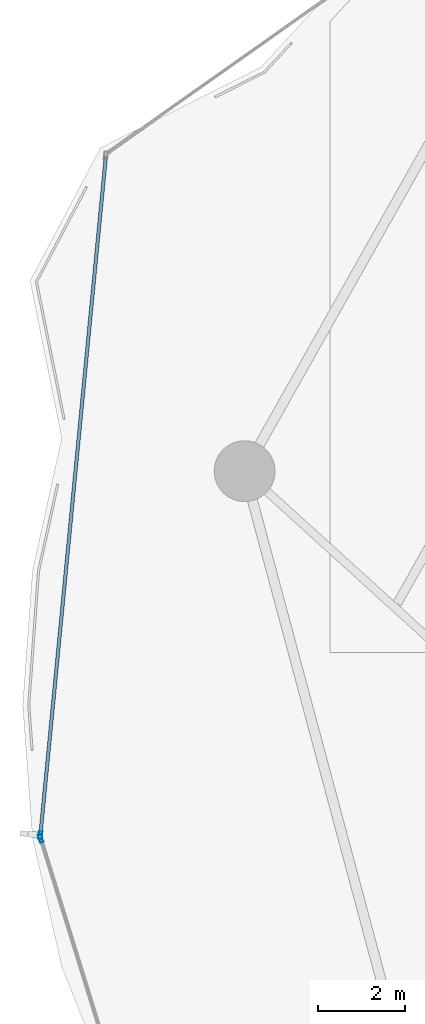
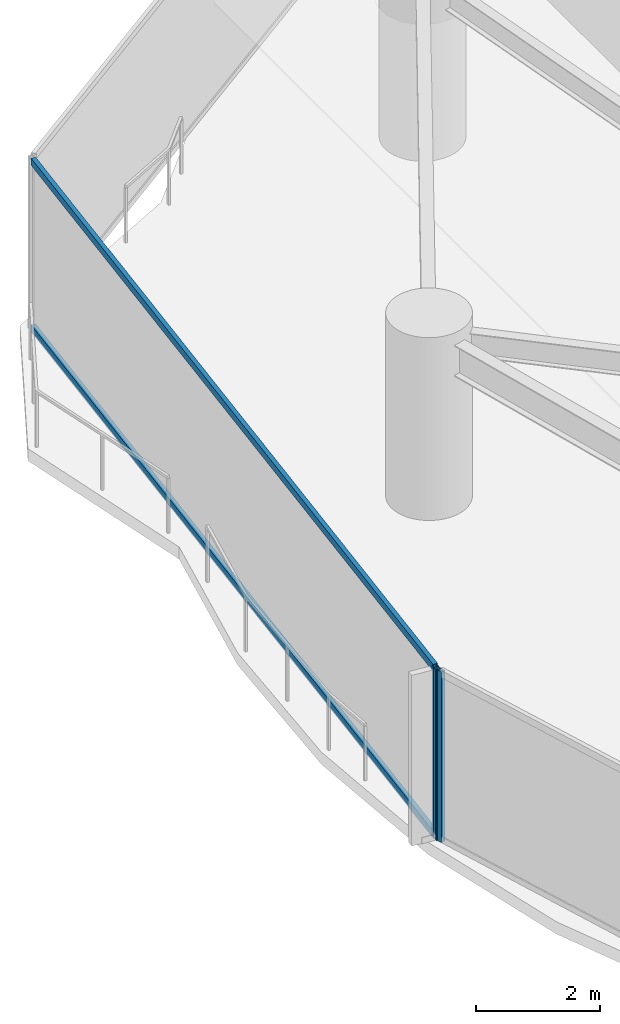
# One storey, part 8 of 31: 4 members, 2 elements without a shape of their own.
"""IFC4 building model written with IfcOpenShell, lengths in metres."""

from ifc_helpers import new_model, si_unit, direction, frame, origin, origin_2d, place, context, subcontext, project, spatial, hollow_rectangle, extrude, material, layer, layer_set, material_profile, profile_set, type_object, element, aggregate, save


model = new_model("IFC4")

# Units and contexts
model_context = context("Model", 3, precision=1e-05, world=origin(), true_north=direction((0.0, 1.0)))
body_context = subcontext(model_context, "Body", "Model", "MODEL_VIEW")
ifc_project = project(units=[si_unit("LENGTHUNIT", "METRE"), si_unit("AREAUNIT", "SQUARE_METRE"), si_unit("VOLUMEUNIT", "CUBIC_METRE"), si_unit("PLANEANGLEUNIT", "RADIAN"), si_unit("MASSUNIT", "GRAM", prefix="KILO")], contexts=[model_context])

# Site, building, storey
site_placement = place(None, origin())
site = spatial("IfcSite", under=ifc_project, at=site_placement, CompositionType="ELEMENT")
building_placement = place(site_placement, origin())
building = spatial("IfcBuilding", under=site, at=building_placement, Name="Kazevale Care Tower and Concert Hall", CompositionType="ELEMENT")
storey_placement = place(building_placement, frame((0.0, 0.0, 60.0)))
storey = spatial("IfcBuildingStorey", under=building, at=storey_placement, Name="L15", CompositionType="ELEMENT", Elevation=60.0)

# Curtain wall, member
ifc_material_1 = material(Name="Aluminium 6063-T6 and Low-E Glass", Category="aluminium")
ifc_layer = layer(ifc_material_1, 0.179931640625)
ifc_layer_set = layer_set([ifc_layer], Name="Aluminium 6063-T6 and Low-E Glass")
curtain_wall_type = type_object("IfcCurtainWallType", Name="Waist & Upper Residential Curtain Wall CW-4", PredefinedType="NOTDEFINED", material=ifc_layer_set)
curtain_wall_1_placement = place(storey_placement, origin())
curtain_wall_1 = element("IfcCurtainWall", 1, at=curtain_wall_1_placement, inside=storey, type_object=curtain_wall_type, Name="cw:L15:f12", PredefinedType="NOTDEFINED")
ifc_material_2 = material(Name="Aluminium 6063-T6", Category="aluminium")
ifc_material_profile_1 = material_profile(ifc_material_2, hollow_rectangle(XDim=0.080078125, YDim=0.179931640625, WallThickness=0.0048828125, at=origin_2d()), Name="ALU80x180x5")
ifc_profile_set_1 = profile_set([ifc_material_profile_1], Name="Aluminium 6063-T6")
member_type_1 = type_object("IfcMemberType", Name="CW-4 Mullion ALU80x180x5", PredefinedType="MULLION", material=ifc_profile_set_1)
member_1_placement = place(storey_placement, frame((9.61572265625, 34.919677734375, 0.0), z_axis=(0.0, 0.0, 1.0), x_axis=(-0.955157326175, -0.296098771112, 0.0)))
member_1 = element("IfcMember", 2, at=member_1_placement, type_object=member_type_1, Name="CW-4 mullion 2", PredefinedType="MULLION", context=body_context, shape_type="SweptSolid", body=[
    extrude(hollow_rectangle(XDim=0.080078125, YDim=0.179931640625, WallThickness=0.0048828125, at=origin_2d()), origin(), (0.0, 0.0, 1.0), 3.360107421875),
])
aggregate(curtain_wall_1, [member_1])

# Curtain wall, members
curtain_wall_2_placement = place(storey_placement, origin())
curtain_wall_2 = element("IfcCurtainWall", 3, at=curtain_wall_2_placement, inside=storey, type_object=curtain_wall_type, Name="cw:L15:f13", PredefinedType="NOTDEFINED")
member_2_placement = place(storey_placement, frame((9.60791015625, 34.997802734375, 0.0), z_axis=(0.0, 0.0, 1.0), x_axis=(-0.995380693067, 0.096006644923, 0.0)))
member_2 = element("IfcMember", 4, at=member_2_placement, type_object=member_type_1, Name="CW-4 mullion 1", PredefinedType="MULLION", context=body_context, shape_type="SweptSolid", body=[
    extrude(hollow_rectangle(XDim=0.080078125, YDim=0.179931640625, WallThickness=0.0048828125, at=origin_2d()), origin(), (0.0, 0.0, 1.0), 3.360107421875),
])
ifc_material_profile_2 = material_profile(ifc_material_2, hollow_rectangle(XDim=0.080078125, YDim=0.139892578125, WallThickness=0.00390625, at=origin_2d()), Name="ALU80x140x4")
ifc_profile_set_2 = profile_set([ifc_material_profile_2], Name="Aluminium 6063-T6")
member_type_2 = type_object("IfcMemberType", Name="CW-4 Transom ALU80x140x4", PredefinedType="USERDEFINED", material=ifc_profile_set_2)
member_3_placement = place(storey_placement, frame((9.611572265625, 35.03759765625, 0.0400390625), z_axis=(0.096010418756, 0.995380329065, 0.0), x_axis=(-0.995380329065, 0.096010418756, 0.0)))
member_3 = element("IfcMember", 5, at=member_3_placement, type_object=member_type_2, Name="CW-4 transom 1.1", ObjectType="TRANSOM", PredefinedType="USERDEFINED", context=body_context, shape_type="SweptSolid", body=[
    extrude(hollow_rectangle(XDim=0.080078125, YDim=0.139892578125, WallThickness=0.00390625, at=origin_2d()), origin(), (0.0, 0.0, 1.0), 15.64111328125),
])
member_4_placement = place(storey_placement, frame((9.611572265625, 35.03759765625, 3.320068359375), z_axis=(0.096010418756, 0.995380329065, 0.0), x_axis=(-0.995380329065, 0.096010418756, 0.0)))
member_4 = element("IfcMember", 6, at=member_4_placement, type_object=member_type_2, Name="CW-4 transom 1.2", ObjectType="TRANSOM", PredefinedType="USERDEFINED", context=body_context, shape_type="SweptSolid", body=[
    extrude(hollow_rectangle(XDim=0.080078125, YDim=0.139892578125, WallThickness=0.00390625, at=origin_2d()), origin(), (0.0, 0.0, 1.0), 15.64111328125),
])
aggregate(curtain_wall_2, [member_2, member_3, member_4])

save(model, "model.ifc")
